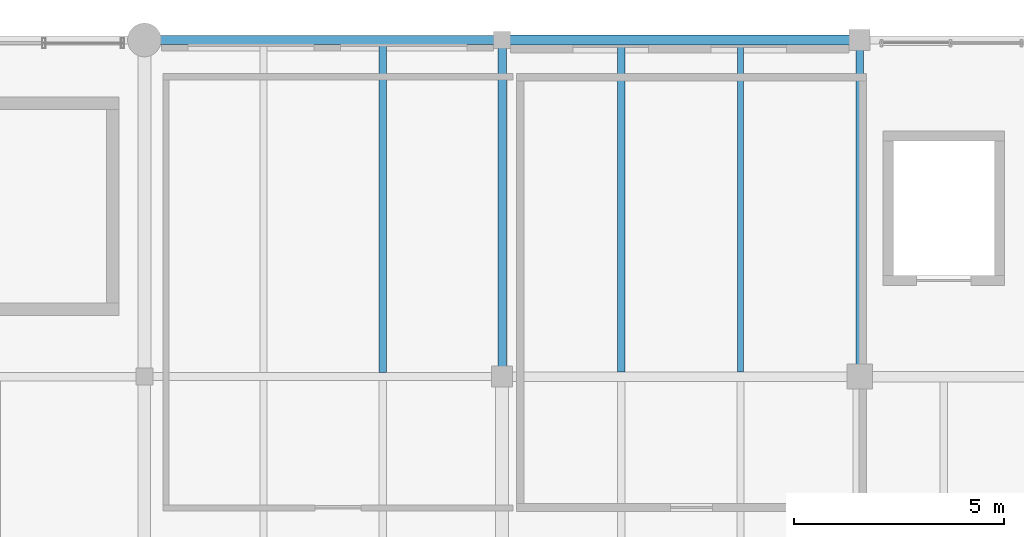
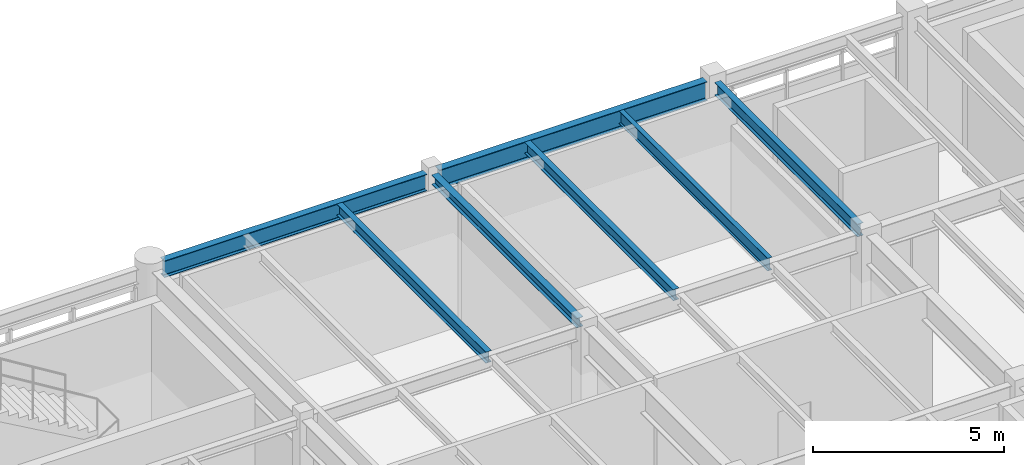
# One storey, part 145 of 200: 7 beams.
"""IFC4 building model written with IfcOpenShell, lengths in metres."""

from ifc_helpers import new_model, si_unit, direction, frame, origin, origin_2d, place, context, subcontext, project, spatial, i_section, extrude, material, material_profile, profile_set, type_object, element, save


model = new_model("IFC4")

# Units and contexts
model_context = context("Model", 3, precision=1e-05, world=origin(), true_north=direction((0.0, 1.0)))
body_context = subcontext(model_context, "Body", "Model", "MODEL_VIEW")
ifc_project = project(units=[si_unit("LENGTHUNIT", "METRE"), si_unit("AREAUNIT", "SQUARE_METRE"), si_unit("VOLUMEUNIT", "CUBIC_METRE"), si_unit("PLANEANGLEUNIT", "RADIAN"), si_unit("MASSUNIT", "GRAM", prefix="KILO"), si_unit("THERMODYNAMICTEMPERATUREUNIT", "KELVIN"), si_unit("POWERUNIT", "WATT")], contexts=[model_context])

# Site, building, storey
site_placement = place(None, origin())
site = spatial("IfcSite", under=ifc_project, at=site_placement, CompositionType="ELEMENT")
building_placement = place(site_placement, origin())
building = spatial("IfcBuilding", under=site, at=building_placement, Name="Tepalcoro Natatorium and Aquatics Centre", CompositionType="ELEMENT")
storey_placement = place(building_placement, frame((0.0, 0.0, 5.39990234375)))
storey = spatial("IfcBuildingStorey", under=building, at=storey_placement, Name="L01", CompositionType="ELEMENT", Elevation=5.39990234375)

# Beams
ifc_material = material(Name="Steel ASTM A992 Grade 50 (Fy 345 MPa)", Category="steel")
ifc_material_profile_1 = material_profile(ifc_material, i_section(OverallWidth=0.202880859375, OverallDepth=0.304931640625, WebThickness=0.007080078125, FlangeThickness=0.012939453125, FilletRadius=0.013916015625, at=origin_2d()), Name="W12X40")
ifc_profile_set_1 = profile_set([ifc_material_profile_1], Name="Steel ASTM A992 Grade 50 (Fy 345 MPa)")
beam_type_1 = type_object("IfcBeamType", Name="BM_W12x40", PredefinedType="BEAM", material=ifc_profile_set_1)
beam_1_placement = place(storey_placement, frame((150.5, 110.235107421875, 4.392578125), z_axis=(0.0, 1.0, 0.0), x_axis=(-1.0, 0.0, 0.0)))
element("IfcBeam", 1, at=beam_1_placement, inside=storey, type_object=beam_type_1, Name="V5 L01 Grid Girder Y", PredefinedType="BEAM", context=body_context, shape_type="SweptSolid", body=[
    extrude(i_section(OverallWidth=0.202880859375, OverallDepth=0.304931640625, WebThickness=0.007080078125, FlangeThickness=0.012939453125, FilletRadius=0.013916015625, at=origin_2d()), origin(), (0.0, 0.0, 1.0), 7.579833984375),
])
ifc_material_profile_2 = material_profile(ifc_material, i_section(OverallWidth=0.177978515625, OverallDepth=0.406005859375, WebThickness=0.008056640625, FlangeThickness=0.012939453125, FilletRadius=0.013916015625, at=origin_2d()), Name="W16X40")
ifc_profile_set_2 = profile_set([ifc_material_profile_2], Name="Steel ASTM A992 Grade 50 (Fy 345 MPa)")
beam_type_2 = type_object("IfcBeamType", Name="BM_W16x40", PredefinedType="BEAM", material=ifc_profile_set_2)
beam_2_placement = place(storey_placement, frame((159.0, 110.284912109375, 4.342041015625), z_axis=(0.0, 1.0, 0.0), x_axis=(-1.0, 0.0, 0.0)))
element("IfcBeam", 2, at=beam_2_placement, inside=storey, type_object=beam_type_2, Name="V5 L01 Grid Girder Y", PredefinedType="BEAM", context=body_context, shape_type="SweptSolid", body=[
    extrude(i_section(OverallWidth=0.177978515625, OverallDepth=0.406005859375, WebThickness=0.008056640625, FlangeThickness=0.012939453125, FilletRadius=0.013916015625, at=origin_2d()), origin(), (0.0, 0.0, 1.0), 7.47998046875),
])
ifc_material_profile_3 = material_profile(ifc_material, i_section(OverallWidth=0.172119140625, OverallDepth=0.35791015625, WebThickness=0.008056640625, FlangeThickness=0.012939453125, FilletRadius=0.013916015625, at=origin_2d()), Name="W14X38")
ifc_profile_set_3 = profile_set([ifc_material_profile_3], Name="Steel ASTM A992 Grade 50 (Fy 345 MPa)")
beam_type_3 = type_object("IfcBeamType", Name="JS_W14x38", PredefinedType="JOIST", material=ifc_profile_set_3)
beam_3_placement = place(storey_placement, frame((147.666748046875, 110.096435546875, 4.3662109375), z_axis=(0.0, 1.0, 0.0), x_axis=(-1.0, 0.0, 0.0)))
element("IfcBeam", 3, at=beam_3_placement, inside=storey, type_object=beam_type_3, Name="V5 L01 Floor Joist", PredefinedType="JOIST", context=body_context, shape_type="SweptSolid", body=[
    extrude(i_section(OverallWidth=0.172119140625, OverallDepth=0.35791015625, WebThickness=0.008056640625, FlangeThickness=0.012939453125, FilletRadius=0.013916015625, at=origin_2d()), origin(), (0.0, 0.0, 1.0), 7.798583984375),
])
beam_4_placement = place(storey_placement, frame((153.333251953125, 110.114013671875, 4.3662109375), z_axis=(0.0, 1.0, 0.0), x_axis=(-1.0, 0.0, 0.0)))
element("IfcBeam", 4, at=beam_4_placement, inside=storey, type_object=beam_type_3, Name="V5 L01 Floor Joist", PredefinedType="JOIST", context=body_context, shape_type="SweptSolid", body=[
    extrude(i_section(OverallWidth=0.172119140625, OverallDepth=0.35791015625, WebThickness=0.008056640625, FlangeThickness=0.012939453125, FilletRadius=0.013916015625, at=origin_2d()), origin(), (0.0, 0.0, 1.0), 7.771484375),
])
ifc_material_profile_4 = material_profile(ifc_material, i_section(OverallWidth=0.139892578125, OverallDepth=0.404052734375, WebThickness=0.007080078125, FlangeThickness=0.010986328125, FilletRadius=0.013916015625, at=origin_2d()), Name="W16X31")
ifc_profile_set_4 = profile_set([ifc_material_profile_4], Name="Steel ASTM A992 Grade 50 (Fy 345 MPa)")
beam_type_4 = type_object("IfcBeamType", Name="JS_W16x31", PredefinedType="JOIST", material=ifc_profile_set_4)
beam_5_placement = place(storey_placement, frame((156.166748046875, 110.114013671875, 4.343017578125), z_axis=(0.0, 1.0, 0.0), x_axis=(-1.0, 0.0, 0.0)))
element("IfcBeam", 5, at=beam_5_placement, inside=storey, type_object=beam_type_4, Name="V5 L01 Floor Joist", PredefinedType="JOIST", context=body_context, shape_type="SweptSolid", body=[
    extrude(i_section(OverallWidth=0.139892578125, OverallDepth=0.404052734375, WebThickness=0.007080078125, FlangeThickness=0.010986328125, FilletRadius=0.013916015625, at=origin_2d()), origin(), (0.0, 0.0, 1.0), 7.771484375),
])
ifc_material_profile_5 = material_profile(ifc_material, i_section(OverallWidth=0.2099609375, OverallDepth=0.535888671875, WebThickness=0.010986328125, FlangeThickness=0.01708984375, FilletRadius=0.013916015625, at=origin_2d()), Name="W21X68")
ifc_profile_set_5 = profile_set([ifc_material_profile_5], Name="Steel ASTM A992 Grade 50 (Fy 345 MPa)")
beam_type_5 = type_object("IfcBeamType", Name="SP_W21x68", PredefinedType="SPANDREL", material=ifc_profile_set_5)
beam_6_placement = place(storey_placement, frame((142.385009765625, 118.0, 4.277099609375), z_axis=(1.0, 0.0, 0.0), x_axis=(0.0, 1.0, 0.0)))
element("IfcBeam", 6, at=beam_6_placement, inside=storey, type_object=beam_type_5, Name="V5 L01 Grid Girder X", PredefinedType="SPANDREL", context=body_context, shape_type="SweptSolid", body=[
    extrude(i_section(OverallWidth=0.2099609375, OverallDepth=0.535888671875, WebThickness=0.010986328125, FlangeThickness=0.01708984375, FilletRadius=0.013916015625, at=origin_2d()), origin(), (0.0, 0.0, 1.0), 7.929931640625),
])
ifc_material_profile_6 = material_profile(ifc_material, i_section(OverallWidth=0.22900390625, OverallDepth=0.612060546875, WebThickness=0.011962890625, FlangeThickness=0.02001953125, FilletRadius=0.013916015625, at=origin_2d()), Name="W24X84")
ifc_profile_set_6 = profile_set([ifc_material_profile_6], Name="Steel ASTM A992 Grade 50 (Fy 345 MPa)")
beam_type_6 = type_object("IfcBeamType", Name="SP_W24x84", PredefinedType="SPANDREL", material=ifc_profile_set_6)
beam_7_placement = place(storey_placement, frame((150.68505859375, 118.0, 4.239013671875), z_axis=(1.0, 0.0, 0.0), x_axis=(0.0, 1.0, 0.0)))
element("IfcBeam", 7, at=beam_7_placement, inside=storey, type_object=beam_type_6, Name="V5 L01 Grid Girder X", PredefinedType="SPANDREL", context=body_context, shape_type="SweptSolid", body=[
    extrude(i_section(OverallWidth=0.22900390625, OverallDepth=0.612060546875, WebThickness=0.011962890625, FlangeThickness=0.02001953125, FilletRadius=0.013916015625, at=origin_2d()), origin(), (0.0, 0.0, 1.0), 8.079833984375),
])

save(model, "model.ifc")
